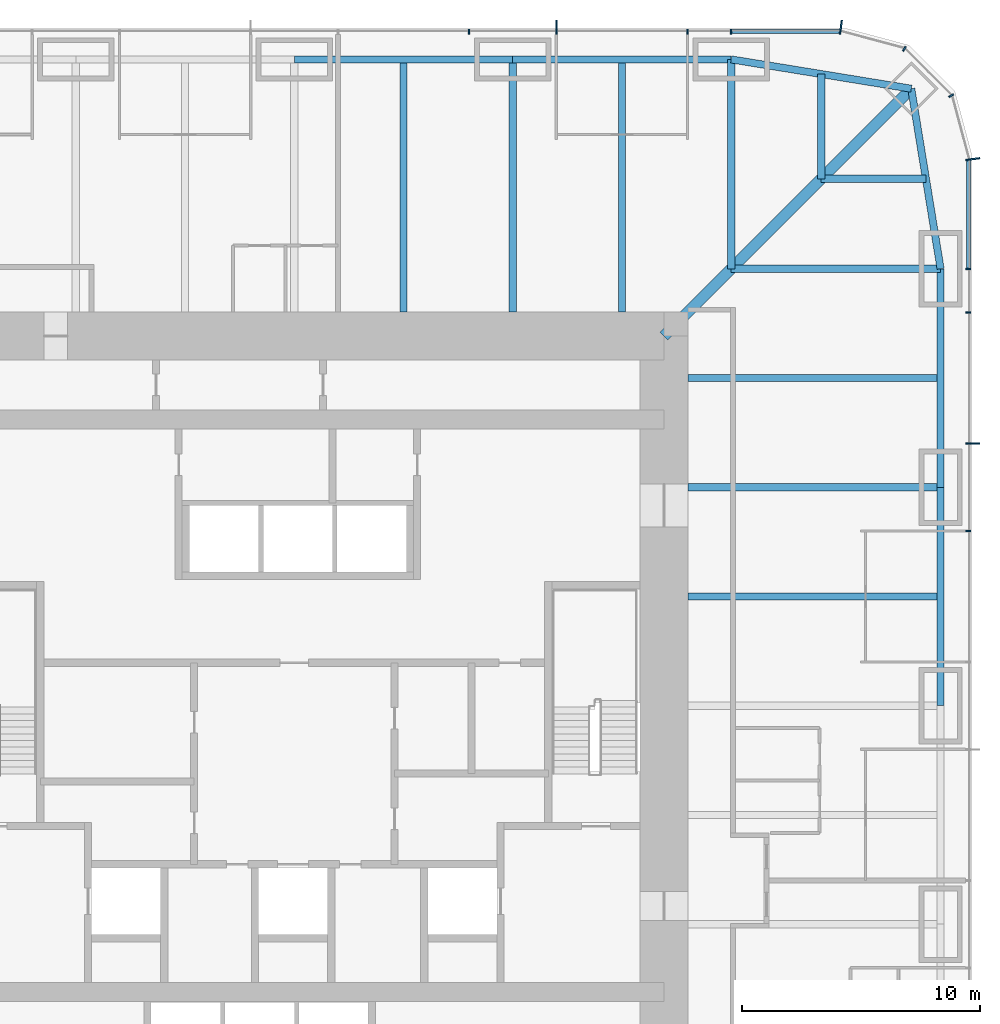
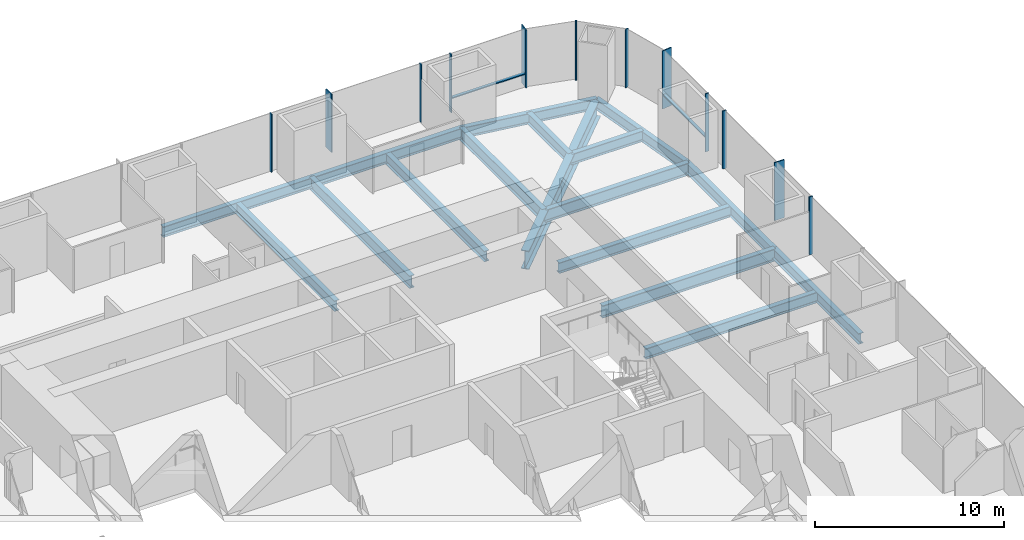
# One storey, part 5 of 11: 17 beams, 14 members, 3 elements without a shape of their own.
"""IFC4 building model written with IfcOpenShell, lengths in metres."""

import ifcopenshell
import ifcopenshell.guid

model = None  # the IFC model being written
_history = None  # IfcOwnerHistory: only IFC2X3 demands one
_inside = {}  # id of a spatial element -> (the spatial element, [elements in it])
_under = {}  # id of a project, library or spatial element -> (it, [spatial elements below it])
_declared = {}  # id of a project -> (the project, [libraries it declares])
_typed = {}  # id of a type object -> (the type object, [elements of that type])
_made_of = {}  # id of a material, layer set ... -> (it, [elements and type objects made of it])


def new_model(schema):
    """Start an empty IFC model of exactly this schema.

    Asked for "IFC4X3", IfcOpenShell would pick the latest addendum, in which some entities
    have other attributes; the version numbers below select the first issue.
    IFC2X3 requires an IfcOwnerHistory on every rooted entity: one is made here for all.
    """
    global model, _history
    if schema == "IFC4X3":
        model = ifcopenshell.file(schema_version=(4, 3, 0, 0))
    else:
        model = ifcopenshell.file(schema=schema)
    _inside.clear()
    _under.clear()
    _declared.clear()
    _typed.clear()
    _made_of.clear()
    _history = None
    if model.schema == "IFC2X3":
        org = make("IfcOrganization", Name="unknown")
        user = make(
            "IfcPersonAndOrganization",
            ThePerson=make("IfcPerson", FamilyName="unknown"),
            TheOrganization=org,
        )
        app = make(
            "IfcApplication",
            ApplicationDeveloper=org,
            Version="unknown",
            ApplicationFullName="unknown",
            ApplicationIdentifier="unknown",
        )
        _history = make(
            "IfcOwnerHistory",
            OwningUser=user,
            OwningApplication=app,
            ChangeAction="ADDED",
            CreationDate=0,
        )
    return model


def make(cls, **values):
    """One entity of the class cls with the attributes given. An attribute that is None is left unset."""
    return model.create_entity(
        cls, **{name: value for name, value in values.items() if value is not None}
    )


def rooted(cls, **values):
    """An entity with a GlobalId (a new one), such as an element, a storey or a relation."""
    return make(cls, GlobalId=ifcopenshell.guid.new(), OwnerHistory=_history, **values)


def si_unit(unit_type, name, prefix=None):
    """IfcSIUnit, for example si_unit("LENGTHUNIT", "METRE", prefix="MILLI")."""
    return make("IfcSIUnit", UnitType=unit_type, Prefix=prefix, Name=name)


def assignment(units):
    """IfcUnitAssignment: the units of a project."""
    return None if units is None else make("IfcUnitAssignment", Units=units)


def point(xyz):
    """IfcCartesianPoint."""
    return None if xyz is None else make("IfcCartesianPoint", Coordinates=xyz)


def direction(xyz):
    """IfcDirection."""
    return None if xyz is None else make("IfcDirection", DirectionRatios=xyz)


def frame(location, z_axis=None, x_axis=None):
    """IfcAxis2Placement3D, a coordinate frame: its origin and axes. An axis left out is left unset."""
    return make(
        "IfcAxis2Placement3D",
        Location=point(location),
        Axis=direction(z_axis),
        RefDirection=direction(x_axis),
    )


def frame_2d(location, x_axis=None):
    """IfcAxis2Placement2D, a coordinate frame in the plane: its origin and x axis."""
    return make(
        "IfcAxis2Placement2D", Location=point(location), RefDirection=direction(x_axis)
    )


def origin():
    """The frame at (0, 0, 0) with its axes left unset."""
    return frame((0.0, 0.0, 0.0))


def origin_2d():
    """The frame at (0, 0) in the plane with its x axis left unset."""
    return frame_2d((0.0, 0.0))


def place(relative_to, where):
    """IfcLocalPlacement: puts the frame where relative to a parent placement (None: the world)."""
    return make(
        "IfcLocalPlacement", PlacementRelTo=relative_to, RelativePlacement=where
    )


def context(
    kind, dimensions, precision=None, world=None, true_north=None, identifier=None
):
    """IfcGeometricRepresentationContext, for example the 3D "Model" context."""
    return make(
        "IfcGeometricRepresentationContext",
        ContextIdentifier=identifier,
        ContextType=kind,
        CoordinateSpaceDimension=dimensions,
        Precision=precision,
        WorldCoordinateSystem=world,
        TrueNorth=true_north,
    )


def subcontext(parent, identifier, kind, view, scale=None):
    """IfcGeometricRepresentationSubContext, for example "Body" below "Model"."""
    return make(
        "IfcGeometricRepresentationSubContext",
        ContextIdentifier=identifier,
        ContextType=kind,
        ParentContext=parent,
        TargetScale=scale,
        TargetView=view,
    )


def project(units=None, contexts=None):
    """IfcProject with its units and contexts."""
    return rooted(
        "IfcProject",
        Name="project",
        RepresentationContexts=contexts,
        UnitsInContext=assignment(units),
    )


def spatial(cls, under=None, at=None, **own):
    """A site, building, storey or space (cls), placed at a placement, below another one or the project."""
    s = rooted(cls, ObjectPlacement=at, **own)
    if under is not None:
        _under.setdefault(under.id(), (under, []))[1].append(s)
    return s


def profile(cls, at=None, kind="AREA", **sizes):
    """A parametric profile (cls). Its sizes go by their IFC names, for example OverallWidth=200.0."""
    return make(cls, ProfileType=kind, Position=at, **sizes)


def rectangle(**sizes):
    """IfcRectangleProfileDef."""
    return profile("IfcRectangleProfileDef", **sizes)


def i_section(**sizes):
    """IfcIShapeProfileDef."""
    return profile("IfcIShapeProfileDef", **sizes)


def extrude(swept, where, along, depth):
    """IfcExtrudedAreaSolid: the profile swept, set in the frame where, extruded along a direction by depth."""
    return make(
        "IfcExtrudedAreaSolid",
        SweptArea=swept,
        Position=where,
        ExtrudedDirection=direction(along),
        Depth=depth,
    )


def shape(context_of_items, identifier, shape_type, items):
    """IfcShapeRepresentation: the items that make up one representation, for example the "Body"."""
    return make(
        "IfcShapeRepresentation",
        ContextOfItems=context_of_items,
        RepresentationIdentifier=identifier,
        RepresentationType=shape_type,
        Items=items,
    )


def material(Name=None, Category=None):
    """IfcMaterial."""
    return make("IfcMaterial", Name=Name, Category=Category)


def material_profile(
    of_material, cross_section, Name=None, Category=None, Priority=None
):
    """IfcMaterialProfile: a cross section and its material."""
    return make(
        "IfcMaterialProfile",
        Name=Name,
        Material=of_material,
        Profile=cross_section,
        Priority=Priority,
        Category=Category,
    )


def profile_set(profiles, Name=None, composite=None):
    """IfcMaterialProfileSet."""
    return make(
        "IfcMaterialProfileSet",
        Name=Name,
        MaterialProfiles=profiles,
        CompositeProfile=composite,
    )


def made_of(thing, what):
    """Note that an element or type object is made of a material, layer set ...; save() writes the relation."""
    if what is not None:
        _made_of.setdefault(what.id(), (what, []))[1].append(thing)
    return thing


def type_object(cls, material=None, **own):
    """A type object (cls), such as IfcWallType, which elements share."""
    return made_of(rooted(cls, **own), material)


def element(
    cls,
    number,
    at=None,
    inside=None,
    cuts=None,
    type_object=None,
    material=None,
    context=None,
    identifier="Body",
    shape_type=None,
    held_by="IfcProductDefinitionShape",
    body=None,
    shapes=None,
    **own,
):
    """One element of the class cls, such as IfcWall. Its Tag is "e" and its number.

    at: its placement. inside: the storey or other place that contains it. cuts: it is an
    opening in that element (IfcRelVoidsElement). A single representation is given by context,
    identifier, shape_type and body (its items); several are given by shapes. held_by: the class
    of the entity that holds the representations. save() writes the other relations.
    """
    e = rooted(cls, Tag="e%d" % number, ObjectPlacement=at, **own)
    if body is not None:
        shapes = [shape(context, identifier, shape_type, body)]
    if shapes is not None:
        e.Representation = make(held_by, Representations=shapes)
    if inside is not None:
        _inside.setdefault(inside.id(), (inside, []))[1].append(e)
    if cuts is not None:
        rooted(
            "IfcRelVoidsElement", RelatingBuildingElement=cuts, RelatedOpeningElement=e
        )
    if type_object is not None:
        _typed.setdefault(type_object.id(), (type_object, []))[1].append(e)
    return made_of(e, material)


def aggregate(whole, parts):
    """IfcRelAggregates: a whole, such as a stair, and the parts it consists of."""
    return rooted("IfcRelAggregates", RelatingObject=whole, RelatedObjects=parts)


def save(model, path):
    """Write the relations noted so far, then the file.

    IfcRelAggregates (storeys below a building ...), IfcRelContainedInSpatialStructure (elements
    in a storey), IfcRelDefinesByType, IfcRelAssociatesMaterial and IfcRelDeclares: one each for
    every whole, place, type object, material and project.
    """
    for whole, parts in _under.values():
        aggregate(whole, parts)
    for where, things in _inside.values():
        rooted(
            "IfcRelContainedInSpatialStructure",
            RelatedElements=things,
            RelatingStructure=where,
        )
    for kind, things in _typed.values():
        rooted("IfcRelDefinesByType", RelatedObjects=things, RelatingType=kind)
    for what, things in _made_of.values():
        rooted("IfcRelAssociatesMaterial", RelatedObjects=things, RelatingMaterial=what)
    for by, libraries in _declared.values():
        rooted("IfcRelDeclares", RelatingContext=by, RelatedDefinitions=libraries)
    model.write(path)


model = new_model("IFC4")

# Units and contexts
model_context = context("Model", 3, precision=1e-05, world=origin(), true_north=direction((0.0, 1.0)))
body_context = subcontext(model_context, "Body", "Model", "MODEL_VIEW")
ifc_project = project(units=[si_unit("LENGTHUNIT", "METRE"), si_unit("AREAUNIT", "SQUARE_METRE"), si_unit("VOLUMEUNIT", "CUBIC_METRE"), si_unit("PLANEANGLEUNIT", "RADIAN"), si_unit("MASSUNIT", "GRAM", prefix="KILO")], contexts=[model_context])

# Site, building, storey
site_placement = place(None, origin())
site = spatial("IfcSite", under=ifc_project, at=site_placement, CompositionType="ELEMENT")
building_placement = place(site_placement, origin())
building = spatial("IfcBuilding", under=site, at=building_placement, Name="Khuree Lantern Residences", CompositionType="ELEMENT")
storey_placement = place(building_placement, frame((0.0, 0.0, 171.0)))
storey = spatial("IfcBuildingStorey", under=building, at=storey_placement, Name="L43", CompositionType="ELEMENT", Elevation=171.0)

# Beams
ifc_material_1 = material(Name="Steel S355", Category="steel")
ifc_material_profile_1 = material_profile(ifc_material_1, i_section(OverallWidth=0.300048828125, OverallDepth=0.68994140625, WebThickness=0.014404296875, FlangeThickness=0.027099609375, FilletRadius=0.027099609375, at=origin_2d()), Name="HE 700 A")
ifc_profile_set_1 = profile_set([ifc_material_profile_1], Name="Steel S355")
beam_type_1 = type_object("IfcBeamType", Name="B-25A SECONDARY BEAM HE 700 A", PredefinedType="BEAM", material=ifc_profile_set_1)
for number, where, z_axis, x_axis, name in (
    (1, (4.580078125, 27.10009765625, -0.594970703125), (0.0, -1.0, 0.0), (1.0, 0.0, 0.0), "Secondary beam N3"),
    (2, (13.739990234375, 27.10009765625, -0.594970703125), (0.0, -1.0, 0.0), (1.0, 0.0, 0.0), "Secondary beam N4"),
):
    element("IfcBeam", number, at=place(storey_placement, frame(where, z_axis=z_axis, x_axis=x_axis)), inside=storey, type_object=beam_type_1, Name=name, PredefinedType="BEAM", context=body_context, shape_type="SweptSolid", body=[
        extrude(i_section(OverallWidth=0.300048828125, OverallDepth=0.68994140625, WebThickness=0.014404296875, FlangeThickness=0.027099609375, FilletRadius=0.027099609375, at=origin_2d()), origin(), (0.0, 0.0, 1.0), 10.60009765625),
    ])
for number, where, z_axis, x_axis, name in (
    (3, (22.094970703125, 26.48486328125, -0.594970703125), (0.0, -1.0, 0.0), (1.0, 0.0, 0.0), "Secondary beam N5"),
    (4, (26.48486328125, 22.094970703125, -0.594970703125), (-1.0, 0.0, 0.0), (0.0, -1.0, 0.0), "Secondary beam E1"),
):
    element("IfcBeam", number, at=place(storey_placement, frame(where, z_axis=z_axis, x_axis=x_axis)), inside=storey, type_object=beam_type_1, Name=name, PredefinedType="BEAM", context=body_context, shape_type="SweptSolid", body=[
        extrude(i_section(OverallWidth=0.300048828125, OverallDepth=0.68994140625, WebThickness=0.014404296875, FlangeThickness=0.027099609375, FilletRadius=0.027099609375, at=origin_2d()), origin(), (0.0, 0.0, 1.0), 4.389892578125),
    ])
for number, where, z_axis, x_axis, name in (
    (5, (27.10009765625, 13.739990234375, -0.594970703125), (-1.0, 0.0, 0.0), (0.0, -1.0, 0.0), "Secondary beam E2"),
    (6, (27.10009765625, 4.580078125, -0.594970703125), (-1.0, 0.0, 0.0), (0.0, -1.0, 0.0), "Secondary beam E3"),
):
    element("IfcBeam", number, at=place(storey_placement, frame(where, z_axis=z_axis, x_axis=x_axis)), inside=storey, type_object=beam_type_1, Name=name, PredefinedType="BEAM", context=body_context, shape_type="SweptSolid", body=[
        extrude(i_section(OverallWidth=0.300048828125, OverallDepth=0.68994140625, WebThickness=0.014404296875, FlangeThickness=0.027099609375, FilletRadius=0.027099609375, at=origin_2d()), origin(), (0.0, 0.0, 1.0), 10.60009765625),
    ])
ifc_material_profile_2 = material_profile(ifc_material_1, i_section(OverallWidth=0.300048828125, OverallDepth=0.68994140625, WebThickness=0.014404296875, FlangeThickness=0.027099609375, FilletRadius=0.027099609375, at=origin_2d()), Name="HE 700 A")
ifc_profile_set_2 = profile_set([ifc_material_profile_2], Name="Steel S355")
beam_type_2 = type_object("IfcBeamType", Name="E-25 SPANDREL BEAM HE 700 A", PredefinedType="SPANDREL", material=ifc_profile_set_2)
beam_1_placement = place(storey_placement, frame((0.0, 27.10009765625, -0.594970703125), z_axis=(1.0, 0.0, 0.0), x_axis=(0.0, 1.0, 0.0)))
element("IfcBeam", 7, at=beam_1_placement, inside=storey, type_object=beam_type_2, Name="Spandrel beam N3", PredefinedType="SPANDREL", context=body_context, shape_type="SweptSolid", body=[
    extrude(i_section(OverallWidth=0.300048828125, OverallDepth=0.68994140625, WebThickness=0.014404296875, FlangeThickness=0.027099609375, FilletRadius=0.027099609375, at=origin_2d()), origin(), (0.0, 0.0, 1.0), 9.159912109375),
])
beam_2_placement = place(storey_placement, frame((9.159912109375, 27.10009765625, -0.594970703125), z_axis=(1.0, 0.0, 0.0), x_axis=(0.0, 1.0, 0.0)))
element("IfcBeam", 8, at=beam_2_placement, inside=storey, type_object=beam_type_2, Name="Spandrel beam N4", PredefinedType="SPANDREL", context=body_context, shape_type="SweptSolid", body=[
    extrude(i_section(OverallWidth=0.300048828125, OverallDepth=0.68994140625, WebThickness=0.014404296875, FlangeThickness=0.027099609375, FilletRadius=0.027099609375, at=origin_2d()), origin(), (0.0, 0.0, 1.0), 9.16015625),
])
for number, where, z_axis, x_axis, name in (
    (9, (18.320068359375, 27.10009765625, -0.594970703125), (0.986982656839, -0.160826723833, 0.0), (0.160826723833, 0.986982656839, 0.0), "Spandrel beam N5"),
    (10, (25.869873046875, 25.869873046875, -0.594970703125), (0.160826723833, -0.986982656839, 0.0), (0.986982656839, 0.160826723833, 0.0), "Spandrel beam E1"),
):
    element("IfcBeam", number, at=place(storey_placement, frame(where, z_axis=z_axis, x_axis=x_axis)), inside=storey, type_object=beam_type_2, Name=name, PredefinedType="SPANDREL", context=body_context, shape_type="SweptSolid", body=[
        extrude(i_section(OverallWidth=0.300048828125, OverallDepth=0.68994140625, WebThickness=0.014404296875, FlangeThickness=0.027099609375, FilletRadius=0.027099609375, at=origin_2d()), origin(), (0.0, 0.0, 1.0), 7.6494140625),
    ])
beam_3_placement = place(storey_placement, frame((27.10009765625, 18.320068359375, -0.594970703125), z_axis=(0.0, -1.0, 0.0), x_axis=(1.0, 0.0, 0.0)))
element("IfcBeam", 11, at=beam_3_placement, inside=storey, type_object=beam_type_2, Name="Spandrel beam E2", PredefinedType="SPANDREL", context=body_context, shape_type="SweptSolid", body=[
    extrude(i_section(OverallWidth=0.300048828125, OverallDepth=0.68994140625, WebThickness=0.014404296875, FlangeThickness=0.027099609375, FilletRadius=0.027099609375, at=origin_2d()), origin(), (0.0, 0.0, 1.0), 9.16015625),
])
beam_4_placement = place(storey_placement, frame((27.10009765625, 9.159912109375, -0.594970703125), z_axis=(0.0, -1.0, 0.0), x_axis=(1.0, 0.0, 0.0)))
element("IfcBeam", 12, at=beam_4_placement, inside=storey, type_object=beam_type_2, Name="Spandrel beam E3", PredefinedType="SPANDREL", context=body_context, shape_type="SweptSolid", body=[
    extrude(i_section(OverallWidth=0.300048828125, OverallDepth=0.68994140625, WebThickness=0.014404296875, FlangeThickness=0.027099609375, FilletRadius=0.027099609375, at=origin_2d()), origin(), (0.0, 0.0, 1.0), 9.159912109375),
])

# Curtain wall, member
ifc_material_2 = material(Name="Bronze anodised aluminium", Category="aluminium")
curtain_wall_type_1 = type_object("IfcCurtainWallType", Name="CW-T1 TOWER FACE CURTAIN WALL", PredefinedType="USERDEFINED", material=ifc_material_2)
curtain_wall_1_placement = place(storey_placement, origin())
curtain_wall_1 = element("IfcCurtainWall", 13, at=curtain_wall_1_placement, inside=storey, type_object=curtain_wall_type_1, Name="L43 EAST FACE CURTAIN WALL", ObjectType="Stick-built curtain wall", PredefinedType="USERDEFINED")
ifc_material_profile_3 = material_profile(ifc_material_2, rectangle(XDim=0.06494140625, YDim=0.60009765625, at=origin_2d()), Name="F1 65X600")
ifc_profile_set_3 = profile_set([ifc_material_profile_3], Name="Bronze anodised aluminium")
member_type_1 = type_object("IfcMemberType", Name="F1 BRONZE FIN MULLION TOWER 65X600", PredefinedType="MULLION", material=ifc_profile_set_3)
member_1_placement = place(storey_placement, frame((28.449951171875, 10.991943359375, 0.0), z_axis=(0.0, 0.0, 1.0), x_axis=(0.0, 1.0, 0.0)))
member_1 = element("IfcMember", 14, at=member_1_placement, type_object=member_type_1, Name="L43 EAST FACE FIN MULLION 12", PredefinedType="MULLION", context=body_context, shape_type="SweptSolid", body=[
    extrude(rectangle(XDim=0.06494140625, YDim=0.60009765625, at=origin_2d()), origin(), (0.0, 0.0, 1.0), 3.75),
])

curtain_wall_type_2 = type_object("IfcCurtainWallType", Name="CW-T2 TOWER CORNER CURTAIN WALL", PredefinedType="USERDEFINED", material=ifc_material_2)
curtain_wall_2_placement = place(storey_placement, origin())
curtain_wall_2 = element("IfcCurtainWall", 15, at=curtain_wall_2_placement, inside=storey, type_object=curtain_wall_type_2, Name="L43 NORTH-EAST CORNER CURTAIN WALL", ObjectType="Faceted corner curtain wall", PredefinedType="USERDEFINED")
member_2_placement = place(storey_placement, frame((28.4501953125, 22.919677734375, 0.0), z_axis=(0.0, 0.0, 1.0), x_axis=(-0.130526223125, 0.991444857305, 0.0)))
member_2 = element("IfcMember", 16, at=member_2_placement, type_object=member_type_1, Name="L43 NORTH-EAST CORNER FIN MULLION 15", PredefinedType="MULLION", context=body_context, shape_type="SweptSolid", body=[
    extrude(rectangle(XDim=0.06494140625, YDim=0.60009765625, at=origin_2d()), origin(), (0.0, 0.0, 1.0), 3.75),
])

# Curtain wall, members
curtain_wall_3_placement = place(storey_placement, origin())
curtain_wall_3 = element("IfcCurtainWall", 17, at=curtain_wall_3_placement, inside=storey, type_object=curtain_wall_type_1, Name="L43 NORTH FACE CURTAIN WALL", ObjectType="Stick-built curtain wall", PredefinedType="USERDEFINED")
member_3_placement = place(storey_placement, frame((22.919677734375, 28.4501953125, 0.0), z_axis=(0.0, 0.0, 1.0), x_axis=(-0.991444857305, 0.130526223125, 0.0)))
member_3 = element("IfcMember", 18, at=member_3_placement, type_object=member_type_1, Name="L43 NORTH FACE FIN MULLION 18", PredefinedType="MULLION", context=body_context, shape_type="SweptSolid", body=[
    extrude(rectangle(XDim=0.06494140625, YDim=0.60009765625, at=origin_2d()), origin(), (0.0, 0.0, 1.0), 3.75),
])
member_4_placement = place(storey_placement, frame((10.991943359375, 28.449951171875, 0.0), z_axis=(0.0, 0.0, 1.0), x_axis=(-1.0, 0.0, 0.0)))
member_4 = element("IfcMember", 19, at=member_4_placement, type_object=member_type_1, Name="L43 NORTH FACE FIN MULLION 21", PredefinedType="MULLION", context=body_context, shape_type="SweptSolid", body=[
    extrude(rectangle(XDim=0.06494140625, YDim=0.60009765625, at=origin_2d()), origin(), (0.0, 0.0, 1.0), 3.75),
])

# Beams
ifc_material_profile_4 = material_profile(ifc_material_1, i_section(OverallWidth=0.300048828125, OverallDepth=0.800048828125, WebThickness=0.017578125, FlangeThickness=0.032958984375, FilletRadius=0.030029296875, at=origin_2d()), Name="HE 800 B")
ifc_profile_set_4 = profile_set([ifc_material_profile_4], Name="Steel S355")
beam_type_3 = type_object("IfcBeamType", Name="G-25A GIRDER HE 800 B", PredefinedType="BEAM", material=ifc_profile_set_4)
beam_5_placement = place(storey_placement, frame((9.159912109375, 27.10009765625, -0.64990234375), z_axis=(0.0, -1.0, 0.0), x_axis=(1.0, 0.0, 0.0)))
element("IfcBeam", 20, at=beam_5_placement, inside=storey, type_object=beam_type_3, Name="Girder N4", PredefinedType="BEAM", context=body_context, shape_type="SweptSolid", body=[
    extrude(i_section(OverallWidth=0.300048828125, OverallDepth=0.800048828125, WebThickness=0.017578125, FlangeThickness=0.032958984375, FilletRadius=0.030029296875, at=origin_2d()), origin(), (0.0, 0.0, 1.0), 10.60009765625),
])
for number, where, z_axis, x_axis, name in (
    (21, (18.320068359375, 27.10009765625, -0.64990234375), (0.0, -1.0, 0.0), (1.0, 0.0, 0.0), "Girder N5"),
    (22, (27.10009765625, 18.320068359375, -0.64990234375), (-1.0, 0.0, 0.0), (0.0, -1.0, 0.0), "Girder E1"),
):
    element("IfcBeam", number, at=place(storey_placement, frame(where, z_axis=z_axis, x_axis=x_axis)), inside=storey, type_object=beam_type_3, Name=name, PredefinedType="BEAM", context=body_context, shape_type="SweptSolid", body=[
        extrude(i_section(OverallWidth=0.300048828125, OverallDepth=0.800048828125, WebThickness=0.017578125, FlangeThickness=0.032958984375, FilletRadius=0.030029296875, at=origin_2d()), origin(), (0.0, 0.0, 1.0), 8.780029296875),
    ])
beam_6_placement = place(storey_placement, frame((27.10009765625, 9.159912109375, -0.64990234375), z_axis=(-1.0, 0.0, 0.0), x_axis=(0.0, -1.0, 0.0)))
element("IfcBeam", 23, at=beam_6_placement, inside=storey, type_object=beam_type_3, Name="Girder E2", PredefinedType="BEAM", context=body_context, shape_type="SweptSolid", body=[
    extrude(i_section(OverallWidth=0.300048828125, OverallDepth=0.800048828125, WebThickness=0.017578125, FlangeThickness=0.032958984375, FilletRadius=0.030029296875, at=origin_2d()), origin(), (0.0, 0.0, 1.0), 10.60009765625),
])
ifc_material_profile_5 = material_profile(ifc_material_1, i_section(OverallWidth=0.449951171875, OverallDepth=1.199951171875, WebThickness=0.02490234375, FlangeThickness=0.044921875, at=origin_2d()), Name="WELDED I 1200X450X25X45")
ifc_profile_set_5 = profile_set([ifc_material_profile_5], Name="Steel S355")
beam_type_4 = type_object("IfcBeamType", Name="GD-25 CORNER GIRDER WELDED I 1200X450X25X45", PredefinedType="BEAM", material=ifc_profile_set_5)
beam_7_placement = place(storey_placement, frame((25.869873046875, 25.869873046875, -0.85009765625), z_axis=(-0.707106781187, -0.707106781187, 0.0), x_axis=(0.707106781187, -0.707106781187, 0.0)))
element("IfcBeam", 24, at=beam_7_placement, inside=storey, type_object=beam_type_4, Name="Corner girder NE", PredefinedType="BEAM", context=body_context, shape_type="SweptSolid", body=[
    extrude(i_section(OverallWidth=0.449951171875, OverallDepth=1.199951171875, WebThickness=0.02490234375, FlangeThickness=0.044921875, at=origin_2d()), origin(), (0.0, 0.0, 1.0), 14.665283203125),
])

# Member
ifc_material_profile_6 = material_profile(ifc_material_2, rectangle(XDim=0.06494140625, YDim=0.219970703125, at=origin_2d()), Name="M1 65X220")
ifc_profile_set_6 = profile_set([ifc_material_profile_6], Name="Bronze anodised aluminium")
member_type_2 = type_object("IfcMemberType", Name="M1 BRONZE MULLION TOWER 65X220", PredefinedType="MULLION", material=ifc_profile_set_6)
member_5_placement = place(storey_placement, frame((28.260009765625, 7.327880859375, 0.0), z_axis=(0.0, 0.0, 1.0), x_axis=(0.0, 1.0, 0.0)))
member_5 = element("IfcMember", 25, at=member_5_placement, type_object=member_type_2, Name="L43 EAST FACE MULLION 11", PredefinedType="MULLION", context=body_context, shape_type="SweptSolid", body=[
    extrude(rectangle(XDim=0.06494140625, YDim=0.219970703125, at=origin_2d()), origin(), (0.0, 0.0, 1.0), 3.75),
])

member_6_placement = place(storey_placement, frame((28.260009765625, 16.488037109375, 0.0), z_axis=(0.0, 0.0, 1.0), x_axis=(0.0, 1.0, 0.0)))
member_6 = element("IfcMember", 26, at=member_6_placement, type_object=member_type_2, Name="L43 EAST FACE MULLION 13", PredefinedType="MULLION", context=body_context, shape_type="SweptSolid", body=[
    extrude(rectangle(XDim=0.06494140625, YDim=0.219970703125, at=origin_2d()), origin(), (0.0, 0.0, 1.0), 3.75),
])

member_7_placement = place(storey_placement, frame((28.260009765625, 18.320068359375, 0.0), z_axis=(0.0, 0.0, 1.0), x_axis=(0.0, 1.0, 0.0)))
member_7 = element("IfcMember", 27, at=member_7_placement, type_object=member_type_2, Name="L43 EAST FACE MULLION 14", PredefinedType="MULLION", context=body_context, shape_type="SweptSolid", body=[
    extrude(rectangle(XDim=0.06494140625, YDim=0.219970703125, at=origin_2d()), origin(), (0.0, 0.0, 1.0), 3.75),
])

member_8_placement = place(storey_placement, frame((27.5419921875, 25.580078125, 0.0), z_axis=(0.0, 0.0, 1.0), x_axis=(-0.500000026995, 0.866025388199, 0.0)))
member_8 = element("IfcMember", 28, at=member_8_placement, type_object=member_type_2, Name="L43 NORTH-EAST CORNER MULLION 16", PredefinedType="MULLION", context=body_context, shape_type="SweptSolid", body=[
    extrude(rectangle(XDim=0.06494140625, YDim=0.219970703125, at=origin_2d()), origin(), (0.0, 0.0, 1.0), 3.75),
])

member_9_placement = place(storey_placement, frame((25.580078125, 27.5419921875, 0.0), z_axis=(0.0, 0.0, 1.0), x_axis=(-0.866025388199, 0.500000026995, 0.0)))
member_9 = element("IfcMember", 29, at=member_9_placement, type_object=member_type_2, Name="L43 NORTH-EAST CORNER MULLION 17", PredefinedType="MULLION", context=body_context, shape_type="SweptSolid", body=[
    extrude(rectangle(XDim=0.06494140625, YDim=0.219970703125, at=origin_2d()), origin(), (0.0, 0.0, 1.0), 3.75),
])

aggregate(curtain_wall_2, [member_2, member_8, member_9])

member_10_placement = place(storey_placement, frame((18.320068359375, 28.260009765625, 0.0), z_axis=(0.0, 0.0, 1.0), x_axis=(-1.0, 0.0, 0.0)))
member_10 = element("IfcMember", 30, at=member_10_placement, type_object=member_type_2, Name="L43 NORTH FACE MULLION 19", PredefinedType="MULLION", context=body_context, shape_type="SweptSolid", body=[
    extrude(rectangle(XDim=0.06494140625, YDim=0.219970703125, at=origin_2d()), origin(), (0.0, 0.0, 1.0), 3.75),
])

member_11_placement = place(storey_placement, frame((16.488037109375, 28.260009765625, 0.0), z_axis=(0.0, 0.0, 1.0), x_axis=(-1.0, 0.0, 0.0)))
member_11 = element("IfcMember", 31, at=member_11_placement, type_object=member_type_2, Name="L43 NORTH FACE MULLION 20", PredefinedType="MULLION", context=body_context, shape_type="SweptSolid", body=[
    extrude(rectangle(XDim=0.06494140625, YDim=0.219970703125, at=origin_2d()), origin(), (0.0, 0.0, 1.0), 3.75),
])

member_12_placement = place(storey_placement, frame((7.327880859375, 28.260009765625, 0.0), z_axis=(0.0, 0.0, 1.0), x_axis=(-1.0, 0.0, 0.0)))
member_12 = element("IfcMember", 32, at=member_12_placement, type_object=member_type_2, Name="L43 NORTH FACE MULLION 22", PredefinedType="MULLION", context=body_context, shape_type="SweptSolid", body=[
    extrude(rectangle(XDim=0.06494140625, YDim=0.219970703125, at=origin_2d()), origin(), (0.0, 0.0, 1.0), 3.75),
])

ifc_material_profile_7 = material_profile(ifc_material_2, rectangle(XDim=0.179931640625, YDim=0.06494140625, at=origin_2d()), Name="T1 180X65")
ifc_profile_set_7 = profile_set([ifc_material_profile_7], Name="Bronze anodised aluminium")
member_type_3 = type_object("IfcMemberType", Name="TRANSOM T1 TOWER 180X65", PredefinedType="USERDEFINED", material=ifc_profile_set_7)
member_13_placement = place(storey_placement, frame((28.27001953125, 18.3525390625, 0.89990234375), z_axis=(0.0, 1.0, 0.0), x_axis=(-1.0, 0.0, 0.0)))
member_13 = element("IfcMember", 33, at=member_13_placement, type_object=member_type_3, Name="L43 EAST FACE TRANSOM 14.1", ObjectType="Transom", PredefinedType="USERDEFINED", context=body_context, shape_type="SweptSolid", body=[
    extrude(rectangle(XDim=0.179931640625, YDim=0.06494140625, at=origin_2d()), origin(), (0.0, 0.0, 1.0), 4.498779296875),
])

aggregate(curtain_wall_1, [member_5, member_1, member_6, member_7, member_13])

member_14_placement = place(storey_placement, frame((22.851318359375, 28.27001953125, 0.89990234375), z_axis=(-1.0, 0.0, 0.0), x_axis=(0.0, -1.0, 0.0)))
member_14 = element("IfcMember", 34, at=member_14_placement, type_object=member_type_3, Name="L43 NORTH FACE TRANSOM 18.1", ObjectType="Transom", PredefinedType="USERDEFINED", context=body_context, shape_type="SweptSolid", body=[
    extrude(rectangle(XDim=0.179931640625, YDim=0.06494140625, at=origin_2d()), origin(), (0.0, 0.0, 1.0), 4.498779296875),
])

aggregate(curtain_wall_3, [member_3, member_10, member_11, member_4, member_12, member_14])

save(model, "model.ifc")
